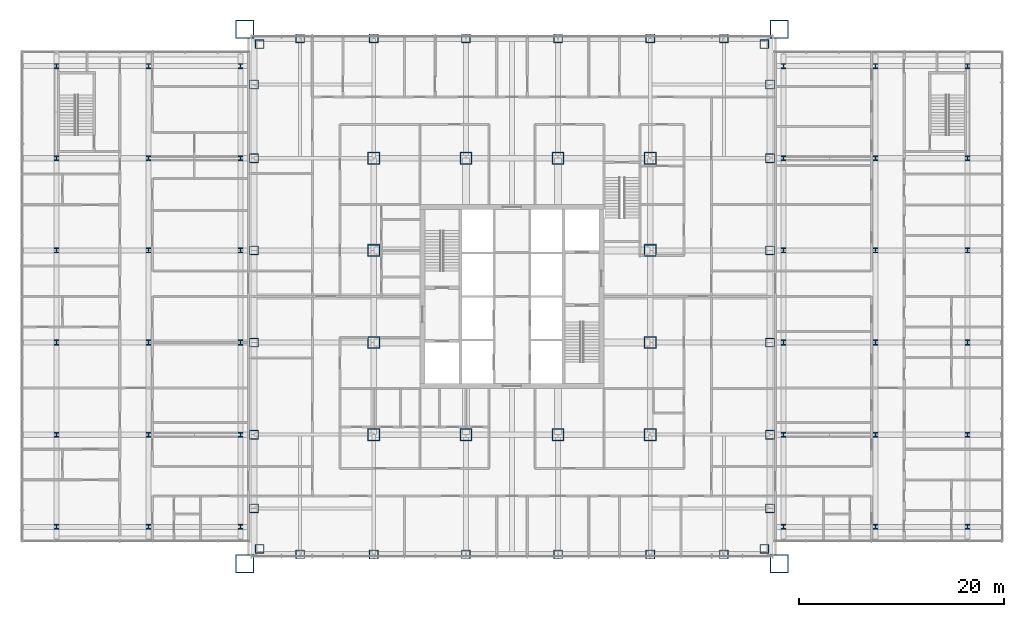
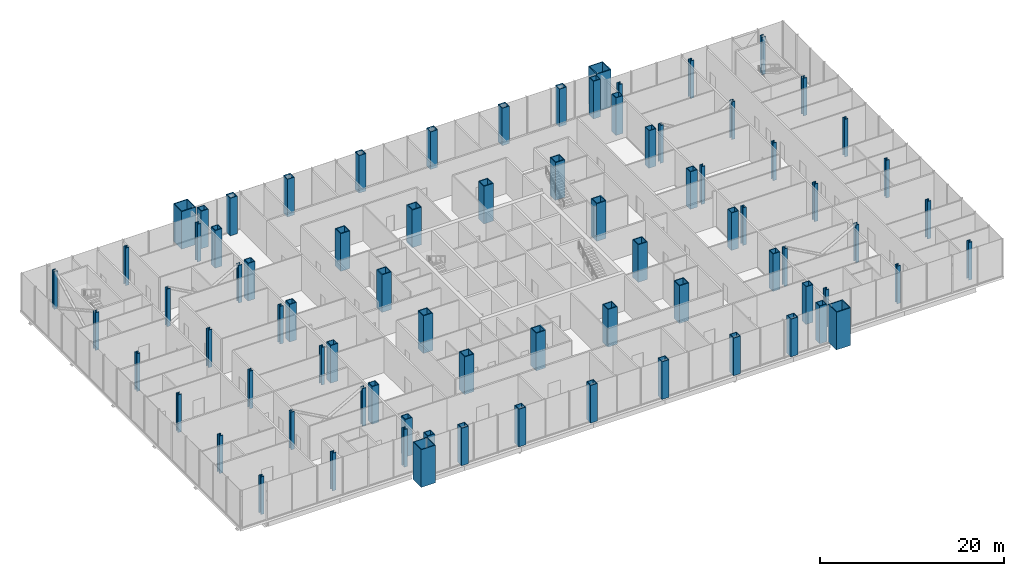
# One storey, part 1 of 25: 80 columns.
"""IFC4 building model written with IfcOpenShell, lengths in metres."""

from ifc_helpers import new_model, si_unit, direction, frame, origin, origin_2d, place, context, subcontext, project, spatial, hollow_rectangle, i_section, extrude, material, material_profile, profile_set, type_object, element, save


model = new_model("IFC4")

# Units and contexts
model_context = context("Model", 3, precision=1e-05, world=origin(), true_north=direction((0.0, 1.0)))
body_context = subcontext(model_context, "Body", "Model", "MODEL_VIEW")
ifc_project = project(units=[si_unit("LENGTHUNIT", "METRE"), si_unit("AREAUNIT", "SQUARE_METRE"), si_unit("VOLUMEUNIT", "CUBIC_METRE"), si_unit("PLANEANGLEUNIT", "RADIAN"), si_unit("MASSUNIT", "GRAM", prefix="KILO")], contexts=[model_context])

# Site, building, storey
site_placement = place(None, origin())
site = spatial("IfcSite", under=ifc_project, at=site_placement, CompositionType="ELEMENT")
building_placement = place(site_placement, origin())
building = spatial("IfcBuilding", under=site, at=building_placement, Name="Malebo Sky Hospital", CompositionType="ELEMENT")
storey_placement = place(building_placement, frame((0.0, 0.0, 6.0)))
storey = spatial("IfcBuildingStorey", under=building, at=storey_placement, Name="L01", CompositionType="ELEMENT", Elevation=6.0)

# Columns
ifc_material_1 = material(Name="Steel S460", Category="steel")
ifc_material_profile_1 = material_profile(ifc_material_1, hollow_rectangle(XDim=1.199951171875, YDim=1.199951171875, WallThickness=0.10009765625, at=origin_2d()), Name="BOX 1200x1200x100")
ifc_profile_set_1 = profile_set([ifc_material_profile_1], Name="Steel S460")
column_type_1 = type_object("IfcColumnType", Name="INNER COLUMN BOX 1200x1200x100", PredefinedType="COLUMN", material=ifc_profile_set_1)
for number, where, z_axis, x_axis, name in (
    (1, (46.5, 48.5, 0.0), (0.0, 0.0, 1.0), (1.0, 0.0, 0.0), "Column IC11 L01"),
    (2, (73.5, 48.5, 0.0), (0.0, 0.0, 1.0), (1.0, 0.0, 0.0), "Column IC11 L01"),
    (3, (73.5, 75.5, 0.0), (0.0, 0.0, 1.0), (1.0, 0.0, 0.0), "Column IC11 L01"),
    (4, (46.5, 75.5, 0.0), (0.0, 0.0, 1.0), (1.0, 0.0, 0.0), "Column IC11 L01"),
    (5, (55.5, 48.5, 0.0), (0.0, 0.0, 1.0), (1.0, 0.0, 0.0), "Column IC11 L01"),
    (6, (64.5, 48.5, 0.0), (0.0, 0.0, 1.0), (1.0, 0.0, 0.0), "Column IC11 L01"),
    (7, (55.5, 75.5, 0.0), (0.0, 0.0, 1.0), (1.0, 0.0, 0.0), "Column IC11 L01"),
    (8, (64.5, 75.5, 0.0), (0.0, 0.0, 1.0), (1.0, 0.0, 0.0), "Column IC11 L01"),
    (9, (46.5, 57.5, 0.0), (0.0, 0.0, 1.0), (1.0, 0.0, 0.0), "Column IC11 L01"),
    (10, (46.5, 66.5, 0.0), (0.0, 0.0, 1.0), (1.0, 0.0, 0.0), "Column IC11 L01"),
    (11, (73.5, 57.5, 0.0), (0.0, 0.0, 1.0), (1.0, 0.0, 0.0), "Column IC11 L01"),
    (12, (73.5, 66.5, 0.0), (0.0, 0.0, 1.0), (1.0, 0.0, 0.0), "Column IC11 L01"),
):
    element("IfcColumn", number, at=place(storey_placement, frame(where, z_axis=z_axis, x_axis=x_axis)), inside=storey, type_object=column_type_1, Name=name, PredefinedType="COLUMN", context=body_context, shape_type="SweptSolid", body=[
        extrude(hollow_rectangle(XDim=1.199951171875, YDim=1.199951171875, WallThickness=0.10009765625, at=origin_2d()), origin(), (0.0, 0.0, 1.0), 5.0),
    ])
ifc_material_profile_2 = material_profile(ifc_material_1, hollow_rectangle(XDim=1.800048828125, YDim=1.800048828125, WallThickness=0.10009765625, at=origin_2d()), Name="BOX 1800x1800x100")
ifc_profile_set_2 = profile_set([ifc_material_profile_2], Name="Steel S460")
column_type_2 = type_object("IfcColumnType", Name="MEGA COLUMN BOX 1800x1800x100", PredefinedType="COLUMN", material=ifc_profile_set_2)
for number, where, z_axis, x_axis, name in (
    (13, (33.89990234375, 35.89990234375, 0.0), (0.0, 0.0, 1.0), (1.0, 0.0, 0.0), "Mega column SW L01"),
    (14, (86.10009765625, 35.89990234375, 0.0), (0.0, 0.0, 1.0), (1.0, 0.0, 0.0), "Mega column SE L01"),
    (15, (86.10009765625, 88.10009765625, 0.0), (0.0, 0.0, 1.0), (1.0, 0.0, 0.0), "Mega column NE L01"),
    (16, (33.89990234375, 88.10009765625, 0.0), (0.0, 0.0, 1.0), (1.0, 0.0, 0.0), "Mega column NW L01"),
):
    element("IfcColumn", number, at=place(storey_placement, frame(where, z_axis=z_axis, x_axis=x_axis)), inside=storey, type_object=column_type_2, Name=name, PredefinedType="COLUMN", context=body_context, shape_type="SweptSolid", body=[
        extrude(hollow_rectangle(XDim=1.800048828125, YDim=1.800048828125, WallThickness=0.10009765625, at=origin_2d()), origin(), (0.0, 0.0, 1.0), 5.0),
    ])
ifc_material_profile_3 = material_profile(ifc_material_1, hollow_rectangle(XDim=0.89990234375, YDim=0.89990234375, WallThickness=0.080078125, at=origin_2d()), Name="BOX 900x900x80")
ifc_profile_set_3 = profile_set([ifc_material_profile_3], Name="Steel S460")
column_type_3 = type_object("IfcColumnType", Name="PERIMETER COLUMN BOX 900x900x80", PredefinedType="COLUMN", material=ifc_profile_set_3)
for number, where, z_axis, x_axis, name in (
    (17, (39.300048828125, 36.800048828125, 0.0), (0.0, 0.0, 1.0), (1.0, 0.0, 0.0), "Column PC8 L01"),
    (18, (39.300048828125, 87.199951171875, 0.0), (0.0, 0.0, 1.0), (1.0, 0.0, 0.0), "Column PC8 L01"),
    (19, (34.800048828125, 41.300048828125, 0.0), (0.0, 0.0, 1.0), (1.0, 0.0, 0.0), "Column PC8 L01"),
    (20, (85.199951171875, 41.300048828125, 0.0), (0.0, 0.0, 1.0), (1.0, 0.0, 0.0), "Column PC8 L01"),
    (21, (46.5, 36.800048828125, 0.0), (0.0, 0.0, 1.0), (1.0, 0.0, 0.0), "Column PC8 L01"),
    (22, (46.5, 87.199951171875, 0.0), (0.0, 0.0, 1.0), (1.0, 0.0, 0.0), "Column PC8 L01"),
    (23, (34.800048828125, 48.5, 0.0), (0.0, 0.0, 1.0), (1.0, 0.0, 0.0), "Column PC8 L01"),
    (24, (85.199951171875, 48.5, 0.0), (0.0, 0.0, 1.0), (1.0, 0.0, 0.0), "Column PC8 L01"),
    (25, (55.5, 36.800048828125, 0.0), (0.0, 0.0, 1.0), (1.0, 0.0, 0.0), "Column PC8 L01"),
    (26, (55.5, 87.199951171875, 0.0), (0.0, 0.0, 1.0), (1.0, 0.0, 0.0), "Column PC8 L01"),
    (27, (34.800048828125, 57.5, 0.0), (0.0, 0.0, 1.0), (1.0, 0.0, 0.0), "Column PC8 L01"),
    (28, (85.199951171875, 57.5, 0.0), (0.0, 0.0, 1.0), (1.0, 0.0, 0.0), "Column PC8 L01"),
    (29, (64.5, 36.800048828125, 0.0), (0.0, 0.0, 1.0), (1.0, 0.0, 0.0), "Column PC8 L01"),
    (30, (64.5, 87.199951171875, 0.0), (0.0, 0.0, 1.0), (1.0, 0.0, 0.0), "Column PC8 L01"),
    (31, (34.800048828125, 66.5, 0.0), (0.0, 0.0, 1.0), (1.0, 0.0, 0.0), "Column PC8 L01"),
    (32, (85.199951171875, 66.5, 0.0), (0.0, 0.0, 1.0), (1.0, 0.0, 0.0), "Column PC8 L01"),
    (33, (73.5, 36.800048828125, 0.0), (0.0, 0.0, 1.0), (1.0, 0.0, 0.0), "Column PC8 L01"),
    (34, (73.5, 87.199951171875, 0.0), (0.0, 0.0, 1.0), (1.0, 0.0, 0.0), "Column PC8 L01"),
    (35, (34.800048828125, 75.5, 0.0), (0.0, 0.0, 1.0), (1.0, 0.0, 0.0), "Column PC8 L01"),
    (36, (85.199951171875, 75.5, 0.0), (0.0, 0.0, 1.0), (1.0, 0.0, 0.0), "Column PC8 L01"),
    (37, (80.699951171875, 36.800048828125, 0.0), (0.0, 0.0, 1.0), (1.0, 0.0, 0.0), "Column PC8 L01"),
    (38, (80.699951171875, 87.199951171875, 0.0), (0.0, 0.0, 1.0), (1.0, 0.0, 0.0), "Column PC8 L01"),
    (39, (34.800048828125, 82.699951171875, 0.0), (0.0, 0.0, 1.0), (1.0, 0.0, 0.0), "Column PC8 L01"),
    (40, (85.199951171875, 82.699951171875, 0.0), (0.0, 0.0, 1.0), (1.0, 0.0, 0.0), "Column PC8 L01"),
    (41, (35.35009765625, 37.35009765625, 0.0), (0.0, 0.0, 1.0), (1.0, 0.0, 0.0), "Column PC8 L01"),
    (42, (84.64990234375, 37.35009765625, 0.0), (0.0, 0.0, 1.0), (1.0, 0.0, 0.0), "Column PC8 L01"),
    (43, (84.64990234375, 86.64990234375, 0.0), (0.0, 0.0, 1.0), (1.0, 0.0, 0.0), "Column PC8 L01"),
    (44, (35.35009765625, 86.64990234375, 0.0), (0.0, 0.0, 1.0), (1.0, 0.0, 0.0), "Column PC8 L01"),
):
    element("IfcColumn", number, at=place(storey_placement, frame(where, z_axis=z_axis, x_axis=x_axis)), inside=storey, type_object=column_type_3, Name=name, PredefinedType="COLUMN", context=body_context, shape_type="SweptSolid", body=[
        extrude(hollow_rectangle(XDim=0.89990234375, YDim=0.89990234375, WallThickness=0.080078125, at=origin_2d()), origin(), (0.0, 0.0, 1.0), 5.0),
    ])
ifc_material_2 = material(Name="Steel S355", Category="steel")
ifc_material_profile_4 = material_profile(ifc_material_2, i_section(OverallWidth=0.431884765625, OverallDepth=0.498046875, WebThickness=0.0556640625, FlangeThickness=0.0888671875, FilletRadius=0.014892578125, at=origin_2d()), Name="HD 400x744")
ifc_profile_set_4 = profile_set([ifc_material_profile_4], Name="Steel S355")
column_type_4 = type_object("IfcColumnType", Name="PODIUM COLUMN HD 400x744", PredefinedType="COLUMN", material=ifc_profile_set_4)
for number, where, z_axis, x_axis, name in (
    (45, (15.5, 39.5, 0.0), (0.0, 0.0, 1.0), (1.0, 0.0, 0.0), "Podium column 15.5/39.5 L01"),
    (46, (15.5, 48.5, 0.0), (0.0, 0.0, 1.0), (1.0, 0.0, 0.0), "Podium column 15.5/48.5 L01"),
    (47, (15.5, 57.5, 0.0), (0.0, 0.0, 1.0), (1.0, 0.0, 0.0), "Podium column 15.5/57.5 L01"),
    (48, (15.5, 66.5, 0.0), (0.0, 0.0, 1.0), (1.0, 0.0, 0.0), "Podium column 15.5/66.5 L01"),
    (49, (15.5, 75.5, 0.0), (0.0, 0.0, 1.0), (1.0, 0.0, 0.0), "Podium column 15.5/75.5 L01"),
    (50, (15.5, 84.5, 0.0), (0.0, 0.0, 1.0), (1.0, 0.0, 0.0), "Podium column 15.5/84.5 L01"),
    (51, (24.5, 39.5, 0.0), (0.0, 0.0, 1.0), (1.0, 0.0, 0.0), "Podium column 24.5/39.5 L01"),
    (52, (24.5, 48.5, 0.0), (0.0, 0.0, 1.0), (1.0, 0.0, 0.0), "Podium column 24.5/48.5 L01"),
    (53, (24.5, 57.5, 0.0), (0.0, 0.0, 1.0), (1.0, 0.0, 0.0), "Podium column 24.5/57.5 L01"),
    (54, (24.5, 66.5, 0.0), (0.0, 0.0, 1.0), (1.0, 0.0, 0.0), "Podium column 24.5/66.5 L01"),
    (55, (24.5, 75.5, 0.0), (0.0, 0.0, 1.0), (1.0, 0.0, 0.0), "Podium column 24.5/75.5 L01"),
    (56, (24.5, 84.5, 0.0), (0.0, 0.0, 1.0), (1.0, 0.0, 0.0), "Podium column 24.5/84.5 L01"),
    (57, (33.5, 39.5, 0.0), (0.0, 0.0, 1.0), (1.0, 0.0, 0.0), "Podium column 33.5/39.5 L01"),
    (58, (33.5, 48.5, 0.0), (0.0, 0.0, 1.0), (1.0, 0.0, 0.0), "Podium column 33.5/48.5 L01"),
    (59, (33.5, 57.5, 0.0), (0.0, 0.0, 1.0), (1.0, 0.0, 0.0), "Podium column 33.5/57.5 L01"),
    (60, (33.5, 66.5, 0.0), (0.0, 0.0, 1.0), (1.0, 0.0, 0.0), "Podium column 33.5/66.5 L01"),
    (61, (33.5, 75.5, 0.0), (0.0, 0.0, 1.0), (1.0, 0.0, 0.0), "Podium column 33.5/75.5 L01"),
    (62, (33.5, 84.5, 0.0), (0.0, 0.0, 1.0), (1.0, 0.0, 0.0), "Podium column 33.5/84.5 L01"),
    (63, (86.5, 39.5, 0.0), (0.0, 0.0, 1.0), (1.0, 0.0, 0.0), "Podium column 86.5/39.5 L01"),
    (64, (86.5, 48.5, 0.0), (0.0, 0.0, 1.0), (1.0, 0.0, 0.0), "Podium column 86.5/48.5 L01"),
    (65, (86.5, 57.5, 0.0), (0.0, 0.0, 1.0), (1.0, 0.0, 0.0), "Podium column 86.5/57.5 L01"),
    (66, (86.5, 66.5, 0.0), (0.0, 0.0, 1.0), (1.0, 0.0, 0.0), "Podium column 86.5/66.5 L01"),
    (67, (86.5, 75.5, 0.0), (0.0, 0.0, 1.0), (1.0, 0.0, 0.0), "Podium column 86.5/75.5 L01"),
    (68, (86.5, 84.5, 0.0), (0.0, 0.0, 1.0), (1.0, 0.0, 0.0), "Podium column 86.5/84.5 L01"),
    (69, (95.5, 39.5, 0.0), (0.0, 0.0, 1.0), (1.0, 0.0, 0.0), "Podium column 95.5/39.5 L01"),
    (70, (95.5, 48.5, 0.0), (0.0, 0.0, 1.0), (1.0, 0.0, 0.0), "Podium column 95.5/48.5 L01"),
    (71, (95.5, 57.5, 0.0), (0.0, 0.0, 1.0), (1.0, 0.0, 0.0), "Podium column 95.5/57.5 L01"),
    (72, (95.5, 66.5, 0.0), (0.0, 0.0, 1.0), (1.0, 0.0, 0.0), "Podium column 95.5/66.5 L01"),
    (73, (95.5, 75.5, 0.0), (0.0, 0.0, 1.0), (1.0, 0.0, 0.0), "Podium column 95.5/75.5 L01"),
    (74, (95.5, 84.5, 0.0), (0.0, 0.0, 1.0), (1.0, 0.0, 0.0), "Podium column 95.5/84.5 L01"),
    (75, (104.5, 39.5, 0.0), (0.0, 0.0, 1.0), (1.0, 0.0, 0.0), "Podium column 104.5/39.5 L01"),
    (76, (104.5, 48.5, 0.0), (0.0, 0.0, 1.0), (1.0, 0.0, 0.0), "Podium column 104.5/48.5 L01"),
    (77, (104.5, 57.5, 0.0), (0.0, 0.0, 1.0), (1.0, 0.0, 0.0), "Podium column 104.5/57.5 L01"),
    (78, (104.5, 66.5, 0.0), (0.0, 0.0, 1.0), (1.0, 0.0, 0.0), "Podium column 104.5/66.5 L01"),
    (79, (104.5, 75.5, 0.0), (0.0, 0.0, 1.0), (1.0, 0.0, 0.0), "Podium column 104.5/75.5 L01"),
    (80, (104.5, 84.5, 0.0), (0.0, 0.0, 1.0), (1.0, 0.0, 0.0), "Podium column 104.5/84.5 L01"),
):
    element("IfcColumn", number, at=place(storey_placement, frame(where, z_axis=z_axis, x_axis=x_axis)), inside=storey, type_object=column_type_4, Name=name, PredefinedType="COLUMN", context=body_context, shape_type="SweptSolid", body=[
        extrude(i_section(OverallWidth=0.431884765625, OverallDepth=0.498046875, WebThickness=0.0556640625, FlangeThickness=0.0888671875, FilletRadius=0.014892578125, at=origin_2d()), origin(), (0.0, 0.0, 1.0), 5.0),
    ])

save(model, "model.ifc")
